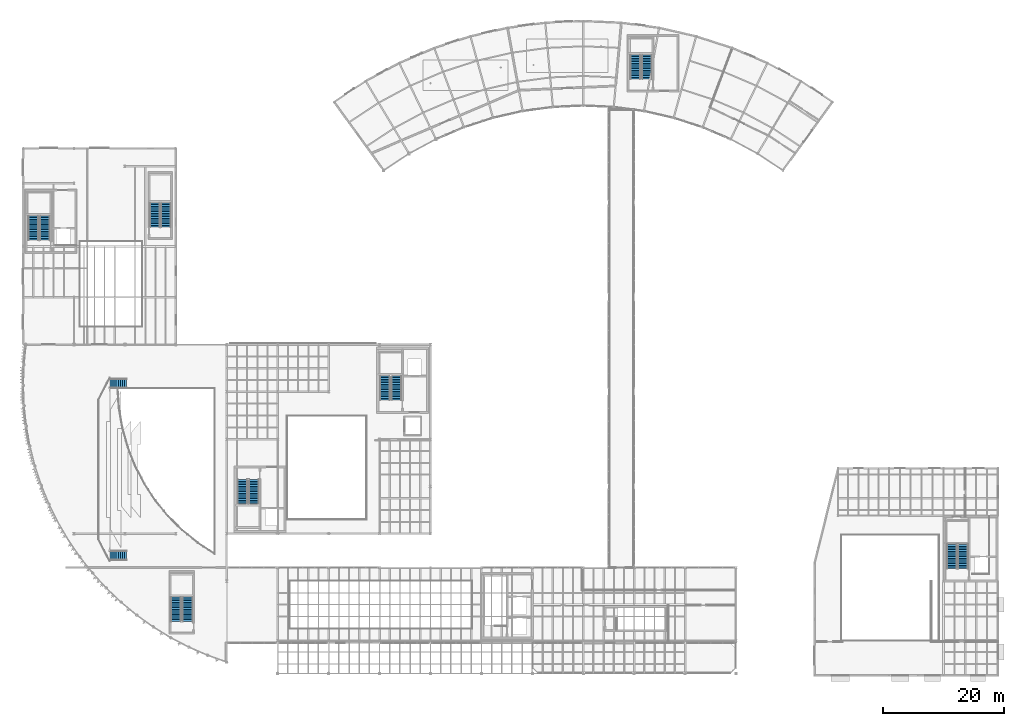
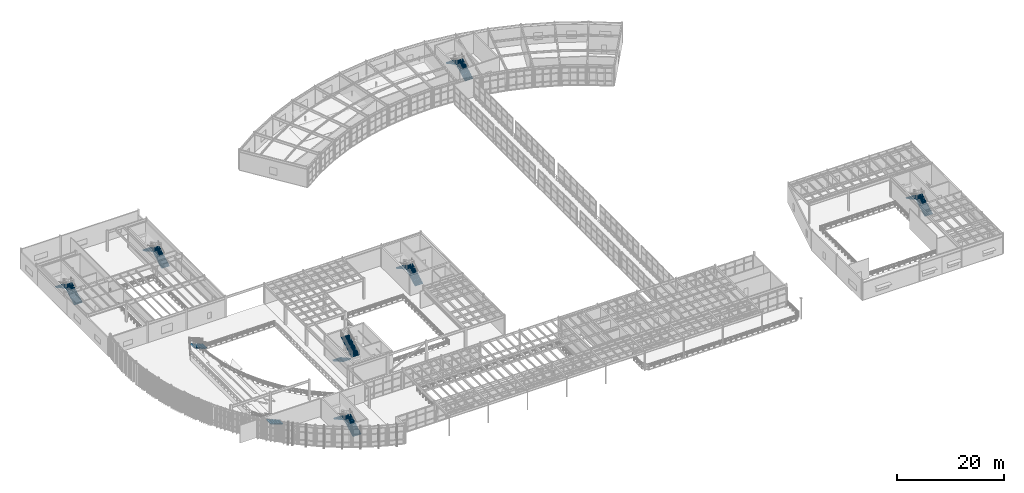
# One storey, part 93 of 105: 16 stair flights, 9 elements without a shape of their own.
"""IFC4 building model written with IfcOpenShell, lengths in metres."""

from ifc_helpers import new_model, si_unit, direction, frame, origin, place, context, subcontext, project, spatial, polyline, outline, extrude, material, type_object, element, aggregate, save


model = new_model("IFC4")

# Units and contexts
model_context = context("Model", 3, precision=1e-05, world=origin(), true_north=direction((0.0, 1.0)))
body_context = subcontext(model_context, "Body", "Model", "MODEL_VIEW")
ifc_project = project(units=[si_unit("LENGTHUNIT", "METRE"), si_unit("AREAUNIT", "SQUARE_METRE"), si_unit("VOLUMEUNIT", "CUBIC_METRE"), si_unit("PLANEANGLEUNIT", "RADIAN"), si_unit("MASSUNIT", "GRAM", prefix="KILO")], contexts=[model_context])

# Site, building, storey
site_placement = place(None, origin())
site = spatial("IfcSite", under=ifc_project, at=site_placement, CompositionType="ELEMENT")
building_placement = place(site_placement, origin())
building = spatial("IfcBuilding", under=site, at=building_placement, Name="Selat Folded Stagehouse", CompositionType="ELEMENT")
storey_placement = place(building_placement, frame((0.0, 0.0, 10.199951171875)))
storey = spatial("IfcBuildingStorey", under=building, at=storey_placement, Name="L02", CompositionType="ELEMENT", Elevation=10.199951171875)

# Stair, stair flight
ifc_material = material(Name="Concrete C40/50", Category="concrete")
stair_type_1 = type_object("IfcStairType", Name="STR-AISLE-1540-9R", PredefinedType="STRAIGHT_RUN_STAIR", material=ifc_material)
stair_1_placement = place(storey_placement, origin())
stair_1 = element("IfcStair", 1, at=stair_1_placement, inside=storey, type_object=stair_type_1, Name="L02 auditorium stepped aisle stair STA-MT-L02-S", PredefinedType="STRAIGHT_RUN_STAIR")
stair_flight_type_1 = type_object("IfcStairFlightType", Name="STF-AISLE-1540-9R", PredefinedType="STRAIGHT", material=ifc_material)
stair_flight_1_placement = place(storey_placement, frame((17.080078125, 19.800048828125, 0.0), z_axis=(0.0, 0.0, 1.0), x_axis=(-1.0, 0.0, 0.0)))
stair_flight_1 = element("IfcStairFlight", 2, at=stair_flight_1_placement, type_object=stair_flight_type_1, Name="STA-9R flight 1", NumberOfRisers=9, NumberOfTreads=8, PredefinedType="STRAIGHT", RiserHeight=0.135, TreadLength=0.345, context=body_context, shape_type="SweptSolid", body=[
    extrude(outline(polyline([(0.0, 0.0), (0.0, 0.135009765625), (0.344970703125, 0.135009765625), (0.344970703125, 0.27001953125), (0.68994140625, 0.27001953125), (0.68994140625, 0.405029296875), (1.034912109375, 0.405029296875), (1.034912109375, 0.5400390625), (1.3798828125, 0.5400390625), (1.3798828125, 0.675048828125), (1.72509765625, 0.675048828125), (1.72509765625, 0.81005859375), (2.070068359375, 0.81005859375), (2.070068359375, 0.945068359375), (2.4150390625, 0.945068359375), (2.4150390625, 1.080078125), (2.760009765625, 1.080078125), (2.760009765625, 1.215087890625), (2.760009765625, 0.9189453125), (0.411376953125, 0.0), (0.0, 0.0)])), frame((0.0, 0.77001953125, 0.0), z_axis=(0.0, -1.0, 0.0), x_axis=(1.0, 0.0, 0.0)), (0.0, 0.0, 1.0), 1.5400390625),
])
aggregate(stair_1, [stair_flight_1])

stair_2_placement = place(storey_placement, origin())
stair_2 = element("IfcStair", 3, at=stair_2_placement, inside=storey, type_object=stair_type_1, Name="L02 auditorium stepped aisle stair STA-MT-L02-N", PredefinedType="STRAIGHT_RUN_STAIR")
stair_flight_2_placement = place(storey_placement, frame((17.080078125, 48.199951171875, 0.0), z_axis=(0.0, 0.0, 1.0), x_axis=(-1.0, 0.0, 0.0)))
stair_flight_2 = element("IfcStairFlight", 4, at=stair_flight_2_placement, type_object=stair_flight_type_1, Name="STA-9R flight 1", NumberOfRisers=9, NumberOfTreads=8, PredefinedType="STRAIGHT", RiserHeight=0.135, TreadLength=0.345, context=body_context, shape_type="SweptSolid", body=[
    extrude(outline(polyline([(0.0, 0.0), (0.0, 0.135009765625), (0.344970703125, 0.135009765625), (0.344970703125, 0.27001953125), (0.68994140625, 0.27001953125), (0.68994140625, 0.405029296875), (1.034912109375, 0.405029296875), (1.034912109375, 0.5400390625), (1.3798828125, 0.5400390625), (1.3798828125, 0.675048828125), (1.72509765625, 0.675048828125), (1.72509765625, 0.81005859375), (2.070068359375, 0.81005859375), (2.070068359375, 0.945068359375), (2.4150390625, 0.945068359375), (2.4150390625, 1.080078125), (2.760009765625, 1.080078125), (2.760009765625, 1.215087890625), (2.760009765625, 0.9189453125), (0.411376953125, 0.0), (0.0, 0.0)])), frame((0.0, 0.77001953125, 0.0), z_axis=(0.0, -1.0, 0.0), x_axis=(1.0, 0.0, 0.0)), (0.0, 0.0, 1.0), 1.5400390625),
])
aggregate(stair_2, [stair_flight_2])

# Stair, stair flights
stair_type_2 = type_object("IfcStairType", Name="STR-DOG-1680-30R", PredefinedType="HALF_TURN_STAIR", material=ifc_material)
stair_3_placement = place(storey_placement, origin())
stair_3 = element("IfcStair", 5, at=stair_3_placement, inside=storey, type_object=stair_type_2, Name="L02 Core 4 Studio East Core", PredefinedType="HALF_TURN_STAIR")
stair_flight_type_2 = type_object("IfcStairFlightType", Name="STF-STR-1680-15R", PredefinedType="STRAIGHT", material=ifc_material)
stair_flight_3_placement = place(storey_placement, frame((155.0400390625, 17.6298828125, 0.0), z_axis=(0.0, 0.0, 1.0), x_axis=(0.0, 1.0, 0.0)))
stair_flight_3 = element("IfcStairFlight", 6, at=stair_flight_3_placement, type_object=stair_flight_type_2, Name="ST-1680-30R flight 1", NumberOfRisers=15, NumberOfTreads=14, PredefinedType="STRAIGHT", RiserHeight=0.16, TreadLength=0.285, context=body_context, shape_type="SweptSolid", body=[
    extrude(outline(polyline([(0.0, 0.0), (0.0, 0.159912109375), (0.284912109375, 0.159912109375), (0.284912109375, 0.320068359375), (0.570068359375, 0.320068359375), (0.570068359375, 0.47998046875), (0.85498046875, 0.47998046875), (0.85498046875, 0.639892578125), (1.139892578125, 0.639892578125), (1.139892578125, 0.800048828125), (1.425048828125, 0.800048828125), (1.425048828125, 0.9599609375), (1.7099609375, 0.9599609375), (1.7099609375, 1.1201171875), (1.9951171875, 1.1201171875), (1.9951171875, 1.280029296875), (2.280029296875, 1.280029296875), (2.280029296875, 1.43994140625), (2.56494140625, 1.43994140625), (2.56494140625, 1.60009765625), (2.85009765625, 1.60009765625), (2.85009765625, 1.760009765625), (3.135009765625, 1.760009765625), (3.135009765625, 1.919921875), (3.419921875, 1.919921875), (3.419921875, 2.080078125), (3.705078125, 2.080078125), (3.705078125, 2.239990234375), (3.989990234375, 2.239990234375), (3.989990234375, 2.39990234375), (3.989990234375, 2.056640625), (0.32666015625, 0.0), (0.0, 0.0)])), frame((0.0, 0.83984375, 0.0), z_axis=(0.0, -1.0, 0.0), x_axis=(1.0, 0.0, 0.0)), (0.0, 0.0, 1.0), 1.679931640625),
])
stair_flight_4_placement = place(storey_placement, frame((153.199951171875, 21.6201171875, 2.400146484375), z_axis=(0.0, 0.0, 1.0), x_axis=(0.0, -1.0, 0.0)))
stair_flight_4 = element("IfcStairFlight", 7, at=stair_flight_4_placement, type_object=stair_flight_type_2, Name="ST-1680-30R flight 2", NumberOfRisers=15, NumberOfTreads=14, PredefinedType="STRAIGHT", RiserHeight=0.16, TreadLength=0.285, context=body_context, shape_type="SweptSolid", body=[
    extrude(outline(polyline([(0.0, 0.0), (0.0, 0.159912109375), (0.284912109375, 0.159912109375), (0.284912109375, 0.320068359375), (0.570068359375, 0.320068359375), (0.570068359375, 0.47998046875), (0.85498046875, 0.47998046875), (0.85498046875, 0.639892578125), (1.139892578125, 0.639892578125), (1.139892578125, 0.800048828125), (1.425048828125, 0.800048828125), (1.425048828125, 0.9599609375), (1.7099609375, 0.9599609375), (1.7099609375, 1.1201171875), (1.9951171875, 1.1201171875), (1.9951171875, 1.280029296875), (2.280029296875, 1.280029296875), (2.280029296875, 1.43994140625), (2.56494140625, 1.43994140625), (2.56494140625, 1.60009765625), (2.85009765625, 1.60009765625), (2.85009765625, 1.760009765625), (3.135009765625, 1.760009765625), (3.135009765625, 1.919921875), (3.419921875, 1.919921875), (3.419921875, 2.080078125), (3.705078125, 2.080078125), (3.705078125, 2.239990234375), (3.989990234375, 2.239990234375), (3.989990234375, 2.39990234375), (3.989990234375, 2.056640625), (0.32666015625, 0.0), (0.0, 0.0)])), frame((0.0, 0.83984375, 0.0), z_axis=(0.0, -1.0, 0.0), x_axis=(1.0, 0.0, 0.0)), (0.0, 0.0, 1.0), 1.679931640625),
])
aggregate(stair_3, [stair_flight_3, stair_flight_4])

stair_4_placement = place(storey_placement, origin())
stair_4 = element("IfcStair", 8, at=stair_4_placement, inside=storey, type_object=stair_type_2, Name="L02 Backstage Technical Stair ST-07", PredefinedType="HALF_TURN_STAIR")
stair_flight_5_placement = place(storey_placement, frame((23.580078125, 73.97998046875, 0.0), z_axis=(0.0, 0.0, 1.0), x_axis=(0.0, 1.0, 0.0)))
stair_flight_5 = element("IfcStairFlight", 9, at=stair_flight_5_placement, type_object=stair_flight_type_2, Name="ST-1680-30R flight 1", NumberOfRisers=15, NumberOfTreads=14, PredefinedType="STRAIGHT", RiserHeight=0.16, TreadLength=0.285, context=body_context, shape_type="SweptSolid", body=[
    extrude(outline(polyline([(0.0, 0.0), (0.0, 0.159912109375), (0.284912109375, 0.159912109375), (0.284912109375, 0.320068359375), (0.570068359375, 0.320068359375), (0.570068359375, 0.47998046875), (0.85498046875, 0.47998046875), (0.85498046875, 0.639892578125), (1.139892578125, 0.639892578125), (1.139892578125, 0.800048828125), (1.425048828125, 0.800048828125), (1.425048828125, 0.9599609375), (1.7099609375, 0.9599609375), (1.7099609375, 1.1201171875), (1.9951171875, 1.1201171875), (1.9951171875, 1.280029296875), (2.280029296875, 1.280029296875), (2.280029296875, 1.43994140625), (2.56494140625, 1.43994140625), (2.56494140625, 1.60009765625), (2.85009765625, 1.60009765625), (2.85009765625, 1.760009765625), (3.135009765625, 1.760009765625), (3.135009765625, 1.919921875), (3.419921875, 1.919921875), (3.419921875, 2.080078125), (3.705078125, 2.080078125), (3.705078125, 2.239990234375), (3.989990234375, 2.239990234375), (3.989990234375, 2.39990234375), (3.989990234375, 2.056640625), (0.32666015625, 0.0), (0.0, 0.0)])), frame((0.0, 0.83984375, 0.0), z_axis=(0.0, -1.0, 0.0), x_axis=(1.0, 0.0, 0.0)), (0.0, 0.0, 1.0), 1.679931640625),
])
stair_flight_6_placement = place(storey_placement, frame((21.739990234375, 77.969970703125, 2.400146484375), z_axis=(0.0, 0.0, 1.0), x_axis=(0.0, -1.0, 0.0)))
stair_flight_6 = element("IfcStairFlight", 10, at=stair_flight_6_placement, type_object=stair_flight_type_2, Name="ST-1680-30R flight 2", NumberOfRisers=15, NumberOfTreads=14, PredefinedType="STRAIGHT", RiserHeight=0.16, TreadLength=0.285, context=body_context, shape_type="SweptSolid", body=[
    extrude(outline(polyline([(0.0, 0.0), (0.0, 0.159912109375), (0.284912109375, 0.159912109375), (0.284912109375, 0.320068359375), (0.570068359375, 0.320068359375), (0.570068359375, 0.47998046875), (0.85498046875, 0.47998046875), (0.85498046875, 0.639892578125), (1.139892578125, 0.639892578125), (1.139892578125, 0.800048828125), (1.425048828125, 0.800048828125), (1.425048828125, 0.9599609375), (1.7099609375, 0.9599609375), (1.7099609375, 1.1201171875), (1.9951171875, 1.1201171875), (1.9951171875, 1.280029296875), (2.280029296875, 1.280029296875), (2.280029296875, 1.43994140625), (2.56494140625, 1.43994140625), (2.56494140625, 1.60009765625), (2.85009765625, 1.60009765625), (2.85009765625, 1.760009765625), (3.135009765625, 1.760009765625), (3.135009765625, 1.919921875), (3.419921875, 1.919921875), (3.419921875, 2.080078125), (3.705078125, 2.080078125), (3.705078125, 2.239990234375), (3.989990234375, 2.239990234375), (3.989990234375, 2.39990234375), (3.989990234375, 2.056640625), (0.32666015625, 0.0), (0.0, 0.0)])), frame((0.0, 0.83984375, 0.0), z_axis=(0.0, -1.0, 0.0), x_axis=(1.0, 0.0, 0.0)), (0.0, 0.0, 1.0), 1.679931640625),
])
aggregate(stair_4, [stair_flight_5, stair_flight_6])

stair_type_3 = type_object("IfcStairType", Name="STR-DOG-1700-30R", PredefinedType="HALF_TURN_STAIR", material=ifc_material)
stair_5_placement = place(storey_placement, origin())
stair_5 = element("IfcStair", 11, at=stair_5_placement, inside=storey, type_object=stair_type_3, Name="L02 Core 1 South-West Fire Core", PredefinedType="HALF_TURN_STAIR")
stair_flight_type_3 = type_object("IfcStairFlightType", Name="STF-STR-1700-15R", PredefinedType="STRAIGHT", material=ifc_material)
stair_flight_7_placement = place(storey_placement, frame((36.2099609375, 32.340087890625, 0.0), z_axis=(0.0, 0.0, 1.0), x_axis=(0.0, -1.0, 0.0)))
stair_flight_7 = element("IfcStairFlight", 12, at=stair_flight_7_placement, type_object=stair_flight_type_3, Name="ST-1700-30R flight 1", NumberOfRisers=15, NumberOfTreads=14, PredefinedType="STRAIGHT", RiserHeight=0.16, TreadLength=0.285, context=body_context, shape_type="SweptSolid", body=[
    extrude(outline(polyline([(0.0, 0.0), (0.0, 0.159912109375), (0.284912109375, 0.159912109375), (0.284912109375, 0.320068359375), (0.570068359375, 0.320068359375), (0.570068359375, 0.47998046875), (0.85498046875, 0.47998046875), (0.85498046875, 0.639892578125), (1.139892578125, 0.639892578125), (1.139892578125, 0.800048828125), (1.425048828125, 0.800048828125), (1.425048828125, 0.9599609375), (1.7099609375, 0.9599609375), (1.7099609375, 1.1201171875), (1.9951171875, 1.1201171875), (1.9951171875, 1.280029296875), (2.280029296875, 1.280029296875), (2.280029296875, 1.43994140625), (2.56494140625, 1.43994140625), (2.56494140625, 1.60009765625), (2.85009765625, 1.60009765625), (2.85009765625, 1.760009765625), (3.135009765625, 1.760009765625), (3.135009765625, 1.919921875), (3.419921875, 1.919921875), (3.419921875, 2.080078125), (3.705078125, 2.080078125), (3.705078125, 2.239990234375), (3.989990234375, 2.239990234375), (3.989990234375, 2.39990234375), (3.989990234375, 2.056640625), (0.32666015625, 0.0), (0.0, 0.0)])), frame((0.0, 0.85009765625, 0.0), z_axis=(0.0, -1.0, 0.0), x_axis=(1.0, 0.0, 0.0)), (0.0, 0.0, 1.0), 1.699951171875),
])
stair_flight_8_placement = place(storey_placement, frame((38.070068359375, 28.35009765625, 2.400146484375), z_axis=(0.0, 0.0, 1.0), x_axis=(0.0, 1.0, 0.0)))
stair_flight_8 = element("IfcStairFlight", 13, at=stair_flight_8_placement, type_object=stair_flight_type_3, Name="ST-1700-30R flight 2", NumberOfRisers=15, NumberOfTreads=14, PredefinedType="STRAIGHT", RiserHeight=0.16, TreadLength=0.285, context=body_context, shape_type="SweptSolid", body=[
    extrude(outline(polyline([(0.0, 0.0), (0.0, 0.159912109375), (0.284912109375, 0.159912109375), (0.284912109375, 0.320068359375), (0.570068359375, 0.320068359375), (0.570068359375, 0.47998046875), (0.85498046875, 0.47998046875), (0.85498046875, 0.639892578125), (1.139892578125, 0.639892578125), (1.139892578125, 0.800048828125), (1.425048828125, 0.800048828125), (1.425048828125, 0.9599609375), (1.7099609375, 0.9599609375), (1.7099609375, 1.1201171875), (1.9951171875, 1.1201171875), (1.9951171875, 1.280029296875), (2.280029296875, 1.280029296875), (2.280029296875, 1.43994140625), (2.56494140625, 1.43994140625), (2.56494140625, 1.60009765625), (2.85009765625, 1.60009765625), (2.85009765625, 1.760009765625), (3.135009765625, 1.760009765625), (3.135009765625, 1.919921875), (3.419921875, 1.919921875), (3.419921875, 2.080078125), (3.705078125, 2.080078125), (3.705078125, 2.239990234375), (3.989990234375, 2.239990234375), (3.989990234375, 2.39990234375), (3.989990234375, 2.056640625), (0.32666015625, 0.0), (0.0, 0.0)])), frame((0.0, 0.85009765625, 0.0), z_axis=(0.0, -1.0, 0.0), x_axis=(1.0, 0.0, 0.0)), (0.0, 0.0, 1.0), 1.699951171875),
])
aggregate(stair_5, [stair_flight_7, stair_flight_8])

stair_6_placement = place(storey_placement, origin())
stair_6 = element("IfcStair", 14, at=stair_6_placement, inside=storey, type_object=stair_type_3, Name="L02 Core 2 North-East Stage Fire Core", PredefinedType="HALF_TURN_STAIR")
stair_flight_9_placement = place(storey_placement, frame((61.570068359375, 45.4599609375, 0.0), z_axis=(0.0, 0.0, 1.0), x_axis=(0.0, 1.0, 0.0)))
stair_flight_9 = element("IfcStairFlight", 15, at=stair_flight_9_placement, type_object=stair_flight_type_3, Name="ST-1700-30R flight 1", NumberOfRisers=15, NumberOfTreads=14, PredefinedType="STRAIGHT", RiserHeight=0.16, TreadLength=0.285, context=body_context, shape_type="SweptSolid", body=[
    extrude(outline(polyline([(0.0, 0.0), (0.0, 0.159912109375), (0.284912109375, 0.159912109375), (0.284912109375, 0.320068359375), (0.570068359375, 0.320068359375), (0.570068359375, 0.47998046875), (0.85498046875, 0.47998046875), (0.85498046875, 0.639892578125), (1.139892578125, 0.639892578125), (1.139892578125, 0.800048828125), (1.425048828125, 0.800048828125), (1.425048828125, 0.9599609375), (1.7099609375, 0.9599609375), (1.7099609375, 1.1201171875), (1.9951171875, 1.1201171875), (1.9951171875, 1.280029296875), (2.280029296875, 1.280029296875), (2.280029296875, 1.43994140625), (2.56494140625, 1.43994140625), (2.56494140625, 1.60009765625), (2.85009765625, 1.60009765625), (2.85009765625, 1.760009765625), (3.135009765625, 1.760009765625), (3.135009765625, 1.919921875), (3.419921875, 1.919921875), (3.419921875, 2.080078125), (3.705078125, 2.080078125), (3.705078125, 2.239990234375), (3.989990234375, 2.239990234375), (3.989990234375, 2.39990234375), (3.989990234375, 2.056640625), (0.32666015625, 0.0), (0.0, 0.0)])), frame((0.0, 0.85009765625, 0.0), z_axis=(0.0, -1.0, 0.0), x_axis=(1.0, 0.0, 0.0)), (0.0, 0.0, 1.0), 1.699951171875),
])
stair_flight_10_placement = place(storey_placement, frame((59.7099609375, 49.449951171875, 2.400146484375), z_axis=(0.0, 0.0, 1.0), x_axis=(0.0, -1.0, 0.0)))
stair_flight_10 = element("IfcStairFlight", 16, at=stair_flight_10_placement, type_object=stair_flight_type_3, Name="ST-1700-30R flight 2", NumberOfRisers=15, NumberOfTreads=14, PredefinedType="STRAIGHT", RiserHeight=0.16, TreadLength=0.285, context=body_context, shape_type="SweptSolid", body=[
    extrude(outline(polyline([(0.0, 0.0), (0.0, 0.159912109375), (0.284912109375, 0.159912109375), (0.284912109375, 0.320068359375), (0.570068359375, 0.320068359375), (0.570068359375, 0.47998046875), (0.85498046875, 0.47998046875), (0.85498046875, 0.639892578125), (1.139892578125, 0.639892578125), (1.139892578125, 0.800048828125), (1.425048828125, 0.800048828125), (1.425048828125, 0.9599609375), (1.7099609375, 0.9599609375), (1.7099609375, 1.1201171875), (1.9951171875, 1.1201171875), (1.9951171875, 1.280029296875), (2.280029296875, 1.280029296875), (2.280029296875, 1.43994140625), (2.56494140625, 1.43994140625), (2.56494140625, 1.60009765625), (2.85009765625, 1.60009765625), (2.85009765625, 1.760009765625), (3.135009765625, 1.760009765625), (3.135009765625, 1.919921875), (3.419921875, 1.919921875), (3.419921875, 2.080078125), (3.705078125, 2.080078125), (3.705078125, 2.239990234375), (3.989990234375, 2.239990234375), (3.989990234375, 2.39990234375), (3.989990234375, 2.056640625), (0.32666015625, 0.0), (0.0, 0.0)])), frame((0.0, 0.85009765625, 0.0), z_axis=(0.0, -1.0, 0.0), x_axis=(1.0, 0.0, 0.0)), (0.0, 0.0, 1.0), 1.699951171875),
])
aggregate(stair_6, [stair_flight_9, stair_flight_10])

stair_type_4 = type_object("IfcStairType", Name="STR-DOG-1720-30R", PredefinedType="HALF_TURN_STAIR", material=ifc_material)
stair_7_placement = place(storey_placement, origin())
stair_7 = element("IfcStair", 17, at=stair_7_placement, inside=storey, type_object=stair_type_4, Name="L02 Core 5 Black-Box West Core", PredefinedType="HALF_TURN_STAIR")
stair_flight_type_4 = type_object("IfcStairFlightType", Name="STF-STR-1720-15R", PredefinedType="STRAIGHT", material=ifc_material)
stair_flight_11_placement = place(storey_placement, frame((3.590087890625, 71.840087890625, 0.0), z_axis=(0.0, 0.0, 1.0), x_axis=(0.0, 1.0, 0.0)))
stair_flight_11 = element("IfcStairFlight", 18, at=stair_flight_11_placement, type_object=stair_flight_type_4, Name="ST-1720-30R flight 1", NumberOfRisers=15, NumberOfTreads=14, PredefinedType="STRAIGHT", RiserHeight=0.16, TreadLength=0.285, context=body_context, shape_type="SweptSolid", body=[
    extrude(outline(polyline([(0.0, 0.0), (0.0, 0.159912109375), (0.284912109375, 0.159912109375), (0.284912109375, 0.320068359375), (0.570068359375, 0.320068359375), (0.570068359375, 0.47998046875), (0.85498046875, 0.47998046875), (0.85498046875, 0.639892578125), (1.139892578125, 0.639892578125), (1.139892578125, 0.800048828125), (1.425048828125, 0.800048828125), (1.425048828125, 0.9599609375), (1.7099609375, 0.9599609375), (1.7099609375, 1.1201171875), (1.9951171875, 1.1201171875), (1.9951171875, 1.280029296875), (2.280029296875, 1.280029296875), (2.280029296875, 1.43994140625), (2.56494140625, 1.43994140625), (2.56494140625, 1.60009765625), (2.85009765625, 1.60009765625), (2.85009765625, 1.760009765625), (3.135009765625, 1.760009765625), (3.135009765625, 1.919921875), (3.419921875, 1.919921875), (3.419921875, 2.080078125), (3.705078125, 2.080078125), (3.705078125, 2.239990234375), (3.989990234375, 2.239990234375), (3.989990234375, 2.39990234375), (3.989990234375, 2.056640625), (0.32666015625, 0.0), (0.0, 0.0)])), frame((0.0, 0.85986328125, 0.0), z_axis=(0.0, -1.0, 0.0), x_axis=(1.0, 0.0, 0.0)), (0.0, 0.0, 1.0), 1.719970703125),
])
stair_flight_12_placement = place(storey_placement, frame((1.7099609375, 75.830078125, 2.400146484375), z_axis=(0.0, 0.0, 1.0), x_axis=(0.0, -1.0, 0.0)))
stair_flight_12 = element("IfcStairFlight", 19, at=stair_flight_12_placement, type_object=stair_flight_type_4, Name="ST-1720-30R flight 2", NumberOfRisers=15, NumberOfTreads=14, PredefinedType="STRAIGHT", RiserHeight=0.16, TreadLength=0.285, context=body_context, shape_type="SweptSolid", body=[
    extrude(outline(polyline([(0.0, 0.0), (0.0, 0.159912109375), (0.284912109375, 0.159912109375), (0.284912109375, 0.320068359375), (0.570068359375, 0.320068359375), (0.570068359375, 0.47998046875), (0.85498046875, 0.47998046875), (0.85498046875, 0.639892578125), (1.139892578125, 0.639892578125), (1.139892578125, 0.800048828125), (1.425048828125, 0.800048828125), (1.425048828125, 0.9599609375), (1.7099609375, 0.9599609375), (1.7099609375, 1.1201171875), (1.9951171875, 1.1201171875), (1.9951171875, 1.280029296875), (2.280029296875, 1.280029296875), (2.280029296875, 1.43994140625), (2.56494140625, 1.43994140625), (2.56494140625, 1.60009765625), (2.85009765625, 1.60009765625), (2.85009765625, 1.760009765625), (3.135009765625, 1.760009765625), (3.135009765625, 1.919921875), (3.419921875, 1.919921875), (3.419921875, 2.080078125), (3.705078125, 2.080078125), (3.705078125, 2.239990234375), (3.989990234375, 2.239990234375), (3.989990234375, 2.39990234375), (3.989990234375, 2.056640625), (0.32666015625, 0.0), (0.0, 0.0)])), frame((0.0, 0.85986328125, 0.0), z_axis=(0.0, -1.0, 0.0), x_axis=(1.0, 0.0, 0.0)), (0.0, 0.0, 1.0), 1.719970703125),
])
aggregate(stair_7, [stair_flight_11, stair_flight_12])

stair_8_placement = place(storey_placement, origin())
stair_8 = element("IfcStair", 20, at=stair_8_placement, inside=storey, type_object=stair_type_4, Name="L02 Core 6 Rehearsal East Core", PredefinedType="HALF_TURN_STAIR")
stair_flight_13_placement = place(storey_placement, frame((102.889892578125, 98.39990234375, 0.0), z_axis=(0.0, 0.0, 1.0), x_axis=(0.0, 1.0, 0.0)))
stair_flight_13 = element("IfcStairFlight", 21, at=stair_flight_13_placement, type_object=stair_flight_type_4, Name="ST-1720-30R flight 1", NumberOfRisers=15, NumberOfTreads=14, PredefinedType="STRAIGHT", RiserHeight=0.16, TreadLength=0.285, context=body_context, shape_type="SweptSolid", body=[
    extrude(outline(polyline([(0.0, 0.0), (0.0, 0.159912109375), (0.284912109375, 0.159912109375), (0.284912109375, 0.320068359375), (0.570068359375, 0.320068359375), (0.570068359375, 0.47998046875), (0.85498046875, 0.47998046875), (0.85498046875, 0.639892578125), (1.139892578125, 0.639892578125), (1.139892578125, 0.800048828125), (1.425048828125, 0.800048828125), (1.425048828125, 0.9599609375), (1.7099609375, 0.9599609375), (1.7099609375, 1.1201171875), (1.9951171875, 1.1201171875), (1.9951171875, 1.280029296875), (2.280029296875, 1.280029296875), (2.280029296875, 1.43994140625), (2.56494140625, 1.43994140625), (2.56494140625, 1.60009765625), (2.85009765625, 1.60009765625), (2.85009765625, 1.760009765625), (3.135009765625, 1.760009765625), (3.135009765625, 1.919921875), (3.419921875, 1.919921875), (3.419921875, 2.080078125), (3.705078125, 2.080078125), (3.705078125, 2.239990234375), (3.989990234375, 2.239990234375), (3.989990234375, 2.39990234375), (3.989990234375, 2.056640625), (0.32666015625, 0.0), (0.0, 0.0)])), frame((0.0, 0.85986328125, 0.0), z_axis=(0.0, -1.0, 0.0), x_axis=(1.0, 0.0, 0.0)), (0.0, 0.0, 1.0), 1.719970703125),
])
stair_flight_14_placement = place(storey_placement, frame((101.010009765625, 102.389892578125, 2.400146484375), z_axis=(0.0, 0.0, 1.0), x_axis=(0.0, -1.0, 0.0)))
stair_flight_14 = element("IfcStairFlight", 22, at=stair_flight_14_placement, type_object=stair_flight_type_4, Name="ST-1720-30R flight 2", NumberOfRisers=15, NumberOfTreads=14, PredefinedType="STRAIGHT", RiserHeight=0.16, TreadLength=0.285, context=body_context, shape_type="SweptSolid", body=[
    extrude(outline(polyline([(0.0, 0.0), (0.0, 0.159912109375), (0.284912109375, 0.159912109375), (0.284912109375, 0.320068359375), (0.570068359375, 0.320068359375), (0.570068359375, 0.47998046875), (0.85498046875, 0.47998046875), (0.85498046875, 0.639892578125), (1.139892578125, 0.639892578125), (1.139892578125, 0.800048828125), (1.425048828125, 0.800048828125), (1.425048828125, 0.9599609375), (1.7099609375, 0.9599609375), (1.7099609375, 1.1201171875), (1.9951171875, 1.1201171875), (1.9951171875, 1.280029296875), (2.280029296875, 1.280029296875), (2.280029296875, 1.43994140625), (2.56494140625, 1.43994140625), (2.56494140625, 1.60009765625), (2.85009765625, 1.60009765625), (2.85009765625, 1.760009765625), (3.135009765625, 1.760009765625), (3.135009765625, 1.919921875), (3.419921875, 1.919921875), (3.419921875, 2.080078125), (3.705078125, 2.080078125), (3.705078125, 2.239990234375), (3.989990234375, 2.239990234375), (3.989990234375, 2.39990234375), (3.989990234375, 2.056640625), (0.32666015625, 0.0), (0.0, 0.0)])), frame((0.0, 0.85986328125, 0.0), z_axis=(0.0, -1.0, 0.0), x_axis=(1.0, 0.0, 0.0)), (0.0, 0.0, 1.0), 1.719970703125),
])
aggregate(stair_8, [stair_flight_13, stair_flight_14])

stair_type_5 = type_object("IfcStairType", Name="STR-DOG-1760-30R", PredefinedType="HALF_TURN_STAIR", material=ifc_material)
stair_9_placement = place(storey_placement, origin())
stair_9 = element("IfcStair", 23, at=stair_9_placement, inside=storey, type_object=stair_type_5, Name="L02 Main Drum Circle Stair ST-09", PredefinedType="HALF_TURN_STAIR")
stair_flight_type_5 = type_object("IfcStairFlightType", Name="STF-STR-1760-15R", PredefinedType="STRAIGHT", material=ifc_material)
stair_flight_15_placement = place(storey_placement, frame((27.159912109375, 8.93994140625, 0.0), z_axis=(0.0, 0.0, 1.0), x_axis=(0.0, 1.0, 0.0)))
stair_flight_15 = element("IfcStairFlight", 24, at=stair_flight_15_placement, type_object=stair_flight_type_5, Name="ST-1760-30R flight 1", NumberOfRisers=15, NumberOfTreads=14, PredefinedType="STRAIGHT", RiserHeight=0.16, TreadLength=0.285, context=body_context, shape_type="SweptSolid", body=[
    extrude(outline(polyline([(0.0, 0.0), (0.0, 0.159912109375), (0.284912109375, 0.159912109375), (0.284912109375, 0.320068359375), (0.570068359375, 0.320068359375), (0.570068359375, 0.47998046875), (0.85498046875, 0.47998046875), (0.85498046875, 0.639892578125), (1.139892578125, 0.639892578125), (1.139892578125, 0.800048828125), (1.425048828125, 0.800048828125), (1.425048828125, 0.9599609375), (1.7099609375, 0.9599609375), (1.7099609375, 1.1201171875), (1.9951171875, 1.1201171875), (1.9951171875, 1.280029296875), (2.280029296875, 1.280029296875), (2.280029296875, 1.43994140625), (2.56494140625, 1.43994140625), (2.56494140625, 1.60009765625), (2.85009765625, 1.60009765625), (2.85009765625, 1.760009765625), (3.135009765625, 1.760009765625), (3.135009765625, 1.919921875), (3.419921875, 1.919921875), (3.419921875, 2.080078125), (3.705078125, 2.080078125), (3.705078125, 2.239990234375), (3.989990234375, 2.239990234375), (3.989990234375, 2.39990234375), (3.989990234375, 2.056640625), (0.32666015625, 0.0), (0.0, 0.0)])), frame((0.0, 0.8798828125, 0.0), z_axis=(0.0, -1.0, 0.0), x_axis=(1.0, 0.0, 0.0)), (0.0, 0.0, 1.0), 1.760009765625),
])
stair_flight_16_placement = place(storey_placement, frame((25.239990234375, 12.929931640625, 2.400146484375), z_axis=(0.0, 0.0, 1.0), x_axis=(0.0, -1.0, 0.0)))
stair_flight_16 = element("IfcStairFlight", 25, at=stair_flight_16_placement, type_object=stair_flight_type_5, Name="ST-1760-30R flight 2", NumberOfRisers=15, NumberOfTreads=14, PredefinedType="STRAIGHT", RiserHeight=0.16, TreadLength=0.285, context=body_context, shape_type="SweptSolid", body=[
    extrude(outline(polyline([(0.0, 0.0), (0.0, 0.159912109375), (0.284912109375, 0.159912109375), (0.284912109375, 0.320068359375), (0.570068359375, 0.320068359375), (0.570068359375, 0.47998046875), (0.85498046875, 0.47998046875), (0.85498046875, 0.639892578125), (1.139892578125, 0.639892578125), (1.139892578125, 0.800048828125), (1.425048828125, 0.800048828125), (1.425048828125, 0.9599609375), (1.7099609375, 0.9599609375), (1.7099609375, 1.1201171875), (1.9951171875, 1.1201171875), (1.9951171875, 1.280029296875), (2.280029296875, 1.280029296875), (2.280029296875, 1.43994140625), (2.56494140625, 1.43994140625), (2.56494140625, 1.60009765625), (2.85009765625, 1.60009765625), (2.85009765625, 1.760009765625), (3.135009765625, 1.760009765625), (3.135009765625, 1.919921875), (3.419921875, 1.919921875), (3.419921875, 2.080078125), (3.705078125, 2.080078125), (3.705078125, 2.239990234375), (3.989990234375, 2.239990234375), (3.989990234375, 2.39990234375), (3.989990234375, 2.056640625), (0.32666015625, 0.0), (0.0, 0.0)])), frame((0.0, 0.8798828125, 0.0), z_axis=(0.0, -1.0, 0.0), x_axis=(1.0, 0.0, 0.0)), (0.0, 0.0, 1.0), 1.760009765625),
])
aggregate(stair_9, [stair_flight_15, stair_flight_16])

save(model, "model.ifc")
